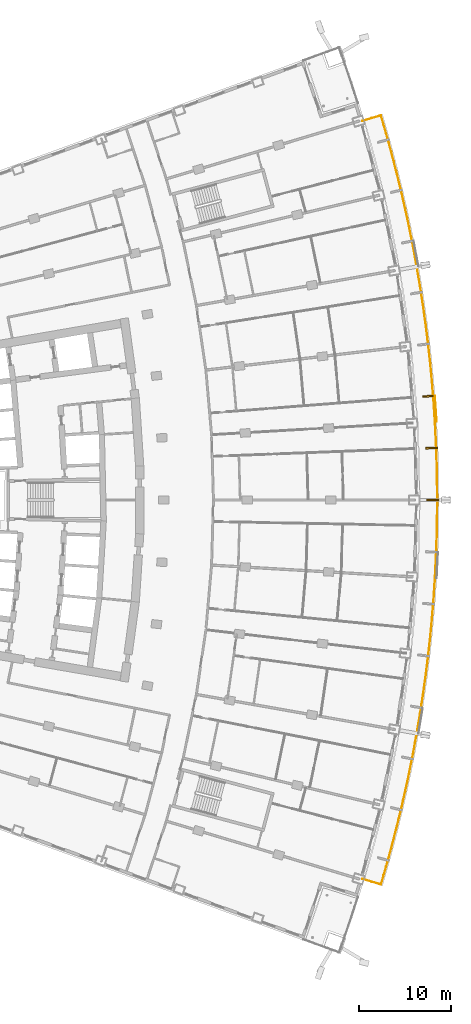
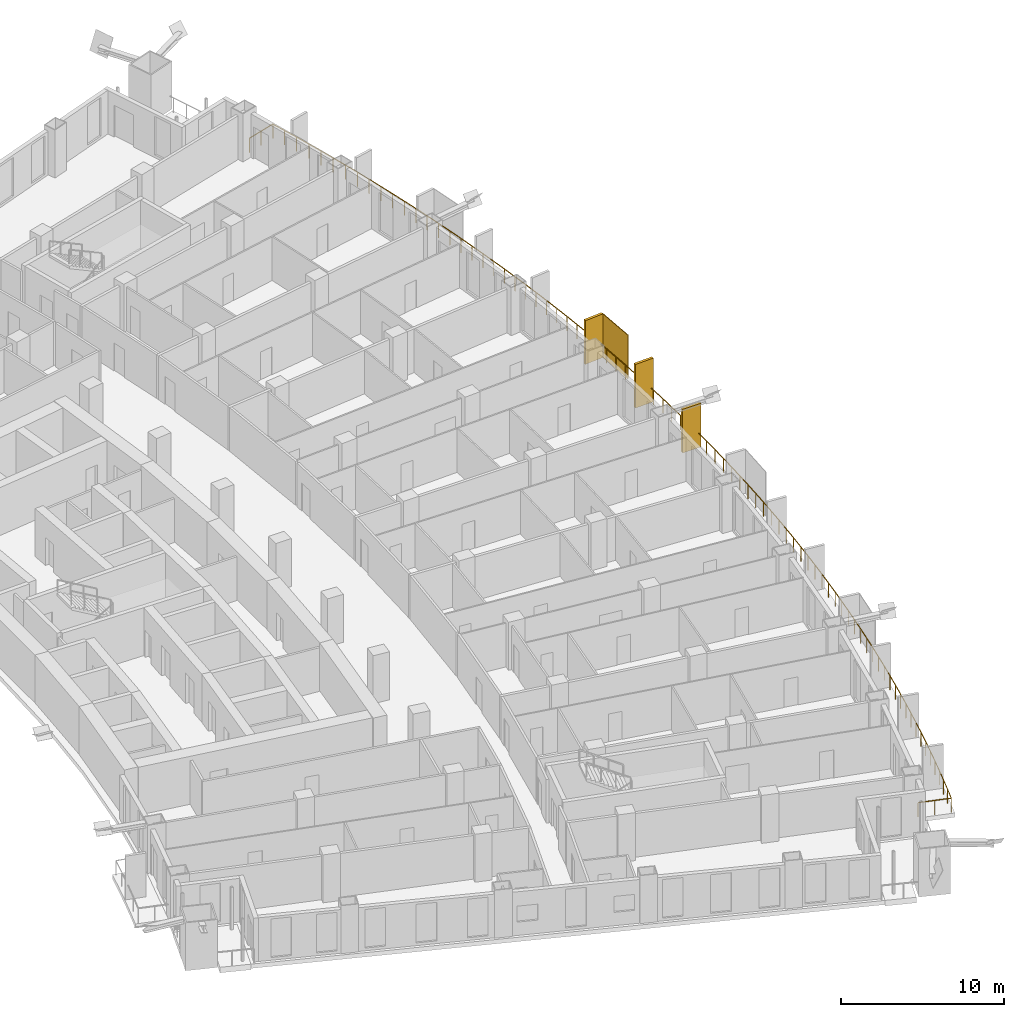
# One storey, part 21 of 22: 4 shading devices, 1 railing.
"""IFC4 building model written with IfcOpenShell, lengths in metres."""

from ifc_helpers import new_model, si_unit, direction, frame, origin, origin_2d, place, context, subcontext, project, spatial, rectangle, extrude, material, layer, layer_set, type_object, element, save


model = new_model("IFC4")

# Units and contexts
model_context = context("Model", 3, precision=1e-05, world=origin(), true_north=direction((0.0, 1.0)))
body_context = subcontext(model_context, "Body", "Model", "MODEL_VIEW")
ifc_project = project(units=[si_unit("LENGTHUNIT", "METRE"), si_unit("AREAUNIT", "SQUARE_METRE"), si_unit("VOLUMEUNIT", "CUBIC_METRE"), si_unit("PLANEANGLEUNIT", "RADIAN"), si_unit("MASSUNIT", "GRAM", prefix="KILO")], contexts=[model_context])

# Site, building, storey
site_placement = place(None, origin())
site = spatial("IfcSite", under=ifc_project, at=site_placement, CompositionType="ELEMENT")
building_placement = place(site_placement, origin())
building = spatial("IfcBuilding", under=site, at=building_placement, Name="Alderwake Tower", CompositionType="ELEMENT")
storey_placement = place(building_placement, frame((0.0, 0.0, 50.0)))
storey = spatial("IfcBuildingStorey", under=building, at=storey_placement, Name="L11", CompositionType="ELEMENT", Elevation=50.0)

# Railing
ifc_material_1 = material(Name="Stainless steel 316 rail and posts", Category="steel")
railing_type = type_object("IfcRailingType", Name="Balcony guard 1100", PredefinedType="GUARDRAIL", material=ifc_material_1)
railing_placement = place(storey_placement, frame((57.371826171875, 19.85986328125, 0.0)))
element("IfcRailing", 1, at=railing_placement, inside=storey, type_object=railing_type, Name="Guard BF02", PredefinedType="GUARDRAIL", context=body_context, shape_type="SweptSolid", body=[
    extrude(rectangle(XDim=0.048095703125, YDim=0.048095703125, at=origin_2d()), frame((0.0, 0.0, 1.076171875), z_axis=(0.957963748181, -0.286889276849, 0.0), x_axis=(0.286889276849, 0.957963748181, 0.0)), (0.0, 0.0, 1.0), 2.100341796875),
    extrude(rectangle(XDim=0.048095703125, YDim=0.048095703125, at=origin_2d()), frame((2.011962890625, -0.6025390625, 1.076171875), z_axis=(0.280139100614, 0.959959418052, 0.0), x_axis=(-0.959959418052, 0.280139100614, 0.0)), (0.0, 0.0, 1.0), 2.02197265625),
    extrude(rectangle(XDim=0.048095703125, YDim=0.048095703125, at=origin_2d()), frame((2.578369140625, 1.33837890625, 1.076171875), z_axis=(0.26658150654, 0.9638123782, 0.0), x_axis=(-0.9638123782, 0.26658150654, 0.0)), (0.0, 0.0, 1.0), 2.1220703125),
    extrude(rectangle(XDim=0.048095703125, YDim=0.048095703125, at=origin_2d()), frame((3.14404296875, 3.383544921875, 1.076171875), z_axis=(0.252459370457, 0.967607495976, 0.0), x_axis=(-0.967607495976, 0.252459370457, 0.0)), (0.0, 0.0, 1.0), 2.121826171875),
    extrude(rectangle(XDim=0.048095703125, YDim=0.048095703125, at=origin_2d()), frame((3.6796875, 5.4365234375, 1.076171875), z_axis=(0.238282958, 0.971195774253, 0.0), x_axis=(-0.971195774253, 0.238282958, 0.0)), (0.0, 0.0, 1.0), 2.121826171875),
    extrude(rectangle(XDim=0.048095703125, YDim=0.048095703125, at=origin_2d()), frame((4.185302734375, 7.497314453125, 1.076171875), z_axis=(0.224136765, 0.974557699972, 0.0), x_axis=(-0.974557699972, 0.224136765, 0.0)), (0.0, 0.0, 1.0), 2.121826171875),
    extrude(rectangle(XDim=0.048095703125, YDim=0.048095703125, at=origin_2d()), frame((4.660888671875, 9.565185546875, 1.076171875), z_axis=(0.209859086272, 0.977731642072, 0.0), x_axis=(-0.977731642072, 0.209859086272, 0.0)), (0.0, 0.0, 1.0), 2.1220703125),
    extrude(rectangle(XDim=0.048095703125, YDim=0.048095703125, at=origin_2d()), frame((5.106201171875, 11.639892578125, 1.076171875), z_axis=(0.195607176026, 0.980682330159, 0.0), x_axis=(-0.980682330159, 0.195607176026, 0.0)), (0.0, 0.0, 1.0), 2.121826171875),
    extrude(rectangle(XDim=0.048095703125, YDim=0.048095703125, at=origin_2d()), frame((5.521240234375, 13.720703125, 1.076171875), z_axis=(0.181223929541, 0.983441857642, 0.0), x_axis=(-0.983441857642, 0.181223929541, 0.0)), (0.0, 0.0, 1.0), 2.121826171875),
    extrude(rectangle(XDim=0.048095703125, YDim=0.048095703125, at=origin_2d()), frame((5.90576171875, 15.807373046875, 1.076171875), z_axis=(0.166935734745, 0.985967778614, 0.0), x_axis=(-0.985967778614, 0.166935734745, 0.0)), (0.0, 0.0, 1.0), 2.1220703125),
    extrude(rectangle(XDim=0.048095703125, YDim=0.048095703125, at=origin_2d()), frame((6.260009765625, 17.899658203125, 1.076171875), z_axis=(0.152575952674, 0.988291747747, 0.0), x_axis=(-0.988291747747, 0.152575952674, 0.0)), (0.0, 0.0, 1.0), 2.121826171875),
    extrude(rectangle(XDim=0.048095703125, YDim=0.048095703125, at=origin_2d()), frame((6.583740234375, 19.99658203125, 1.076171875), z_axis=(0.138070046454, 0.990422466563, 0.0), x_axis=(-0.990422466563, 0.138070046454, 0.0)), (0.0, 0.0, 1.0), 2.121826171875),
    extrude(rectangle(XDim=0.048095703125, YDim=0.048095703125, at=origin_2d()), frame((6.876708984375, 22.09814453125, 1.076171875), z_axis=(0.123694843093, 0.992320304031, 0.0), x_axis=(-0.992320304031, 0.123694843093, 0.0)), (0.0, 0.0, 1.0), 2.121826171875),
    extrude(rectangle(XDim=0.048095703125, YDim=0.048095703125, at=origin_2d()), frame((7.13916015625, 24.20361328125, 1.076171875), z_axis=(0.109080130326, 0.9940329598, 0.0), x_axis=(-0.9940329598, 0.109080130326, 0.0)), (0.0, 0.0, 1.0), 2.121826171875),
    extrude(rectangle(XDim=0.048095703125, YDim=0.048095703125, at=origin_2d()), frame((7.37060546875, 26.312744140625, 1.076171875), z_axis=(0.094695065428, 0.995506325738, 0.0), x_axis=(-0.995506325738, 0.094695065428, 0.0)), (0.0, 0.0, 1.0), 2.121826171875),
    extrude(rectangle(XDim=0.048095703125, YDim=0.048095703125, at=origin_2d()), frame((7.571533203125, 28.425048828125, 1.076171875), z_axis=(0.080083637385, 0.996788147513, 0.0), x_axis=(-0.996788147513, 0.080083637385, 0.0)), (0.0, 0.0, 1.0), 2.121826171875),
    extrude(rectangle(XDim=0.048095703125, YDim=0.048095703125, at=origin_2d()), frame((7.741455078125, 30.5400390625, 1.076171875), z_axis=(0.065579727847, 0.997847332659, 0.0), x_axis=(-0.997847332659, 0.065579727847, 0.0)), (0.0, 0.0, 1.0), 2.1220703125),
    extrude(rectangle(XDim=0.048095703125, YDim=0.048095703125, at=origin_2d()), frame((7.880615234375, 32.657470703125, 1.076171875), z_axis=(0.051085284185, 0.998694294436, 0.0), x_axis=(-0.998694294436, 0.051085284185, 0.0)), (0.0, 0.0, 1.0), 2.121826171875),
    extrude(rectangle(XDim=0.048095703125, YDim=0.048095703125, at=origin_2d()), frame((7.989013671875, 34.776611328125, 1.076171875), z_axis=(0.036360511364, 0.999338737973, 0.0), x_axis=(-0.999338737973, 0.036360511364, 0.0)), (0.0, 0.0, 1.0), 2.121826171875),
    extrude(rectangle(XDim=0.048095703125, YDim=0.048095703125, at=origin_2d()), frame((8.066162109375, 36.89697265625, 1.076171875), z_axis=(0.021976507204, 0.999758487401, 0.0), x_axis=(-0.999758487401, 0.021976507204, 0.0)), (0.0, 0.0, 1.0), 2.121826171875),
    extrude(rectangle(XDim=0.048095703125, YDim=0.048095703125, at=origin_2d()), frame((8.11279296875, 39.018310546875, 1.076171875), z_axis=(0.007248687707, 0.999973727918, 0.0), x_axis=(-0.999973727918, 0.007248687707, 0.0)), (0.0, 0.0, 1.0), 2.121826171875),
    extrude(rectangle(XDim=0.048095703125, YDim=0.048095703125, at=origin_2d()), frame((8.128173828125, 41.14013671875, 1.076171875), z_axis=(-0.007248687707, 0.999973727918, 0.0), x_axis=(-0.999973727918, -0.007248687707, 0.0)), (0.0, 0.0, 1.0), 2.121826171875),
    extrude(rectangle(XDim=0.048095703125, YDim=0.048095703125, at=origin_2d()), frame((8.11279296875, 43.261962890625, 1.076171875), z_axis=(-0.021976507204, 0.999758487401, 0.0), x_axis=(-0.999758487401, -0.021976507204, 0.0)), (0.0, 0.0, 1.0), 2.121826171875),
    extrude(rectangle(XDim=0.048095703125, YDim=0.048095703125, at=origin_2d()), frame((8.066162109375, 45.38330078125, 1.076171875), z_axis=(-0.036360511364, 0.999338737973, 0.0), x_axis=(-0.999338737973, -0.036360511364, 0.0)), (0.0, 0.0, 1.0), 2.121826171875),
    extrude(rectangle(XDim=0.048095703125, YDim=0.048095703125, at=origin_2d()), frame((7.989013671875, 47.503662109375, 1.076171875), z_axis=(-0.051085284185, 0.998694294436, 0.0), x_axis=(-0.998694294436, -0.051085284185, 0.0)), (0.0, 0.0, 1.0), 2.121826171875),
    extrude(rectangle(XDim=0.048095703125, YDim=0.048095703125, at=origin_2d()), frame((7.880615234375, 49.622802734375, 1.076171875), z_axis=(-0.065579727847, 0.997847332659, 0.0), x_axis=(-0.997847332659, -0.065579727847, 0.0)), (0.0, 0.0, 1.0), 2.1220703125),
    extrude(rectangle(XDim=0.048095703125, YDim=0.048095703125, at=origin_2d()), frame((7.741455078125, 51.740234375, 1.076171875), z_axis=(-0.080083637385, 0.996788147513, 0.0), x_axis=(-0.996788147513, -0.080083637385, 0.0)), (0.0, 0.0, 1.0), 2.121826171875),
    extrude(rectangle(XDim=0.048095703125, YDim=0.048095703125, at=origin_2d()), frame((7.571533203125, 53.855224609375, 1.076171875), z_axis=(-0.094695065428, 0.995506325738, 0.0), x_axis=(-0.995506325738, -0.094695065428, 0.0)), (0.0, 0.0, 1.0), 2.121826171875),
    extrude(rectangle(XDim=0.048095703125, YDim=0.048095703125, at=origin_2d()), frame((7.37060546875, 55.967529296875, 1.076171875), z_axis=(-0.109080130326, 0.9940329598, 0.0), x_axis=(-0.9940329598, -0.109080130326, 0.0)), (0.0, 0.0, 1.0), 2.121826171875),
    extrude(rectangle(XDim=0.048095703125, YDim=0.048095703125, at=origin_2d()), frame((7.13916015625, 58.07666015625, 1.076171875), z_axis=(-0.123694843093, 0.992320304031, 0.0), x_axis=(-0.992320304031, -0.123694843093, 0.0)), (0.0, 0.0, 1.0), 2.121826171875),
    extrude(rectangle(XDim=0.048095703125, YDim=0.048095703125, at=origin_2d()), frame((6.876708984375, 60.18212890625, 1.076171875), z_axis=(-0.138070046454, 0.990422466563, 0.0), x_axis=(-0.990422466563, -0.138070046454, 0.0)), (0.0, 0.0, 1.0), 2.121826171875),
    extrude(rectangle(XDim=0.048095703125, YDim=0.048095703125, at=origin_2d()), frame((6.583740234375, 62.28369140625, 1.076171875), z_axis=(-0.152575952674, 0.988291747747, 0.0), x_axis=(-0.988291747747, -0.152575952674, 0.0)), (0.0, 0.0, 1.0), 2.121826171875),
    extrude(rectangle(XDim=0.048095703125, YDim=0.048095703125, at=origin_2d()), frame((6.260009765625, 64.380615234375, 1.076171875), z_axis=(-0.166935734745, 0.985967778614, 0.0), x_axis=(-0.985967778614, -0.166935734745, 0.0)), (0.0, 0.0, 1.0), 2.1220703125),
    extrude(rectangle(XDim=0.048095703125, YDim=0.048095703125, at=origin_2d()), frame((5.90576171875, 66.472900390625, 1.076171875), z_axis=(-0.181223929541, 0.983441857642, 0.0), x_axis=(-0.983441857642, -0.181223929541, 0.0)), (0.0, 0.0, 1.0), 2.121826171875),
    extrude(rectangle(XDim=0.048095703125, YDim=0.048095703125, at=origin_2d()), frame((5.521240234375, 68.5595703125, 1.076171875), z_axis=(-0.195607176026, 0.980682330159, 0.0), x_axis=(-0.980682330159, -0.195607176026, 0.0)), (0.0, 0.0, 1.0), 2.121826171875),
    extrude(rectangle(XDim=0.048095703125, YDim=0.048095703125, at=origin_2d()), frame((5.106201171875, 70.640380859375, 1.076171875), z_axis=(-0.209859086272, 0.977731642072, 0.0), x_axis=(-0.977731642072, -0.209859086272, 0.0)), (0.0, 0.0, 1.0), 2.1220703125),
    extrude(rectangle(XDim=0.048095703125, YDim=0.048095703125, at=origin_2d()), frame((4.660888671875, 72.715087890625, 1.076171875), z_axis=(-0.224136765, 0.974557699972, 0.0), x_axis=(-0.974557699972, -0.224136765, 0.0)), (0.0, 0.0, 1.0), 2.121826171875),
    extrude(rectangle(XDim=0.048095703125, YDim=0.048095703125, at=origin_2d()), frame((4.185302734375, 74.782958984375, 1.076171875), z_axis=(-0.238282958, 0.971195774253, 0.0), x_axis=(-0.971195774253, -0.238282958, 0.0)), (0.0, 0.0, 1.0), 2.121826171875),
    extrude(rectangle(XDim=0.048095703125, YDim=0.048095703125, at=origin_2d()), frame((3.6796875, 76.84375, 1.076171875), z_axis=(-0.252459370457, 0.967607495976, 0.0), x_axis=(-0.967607495976, -0.252459370457, 0.0)), (0.0, 0.0, 1.0), 2.121826171875),
    extrude(rectangle(XDim=0.048095703125, YDim=0.048095703125, at=origin_2d()), frame((3.14404296875, 78.896728515625, 1.076171875), z_axis=(-0.26658150654, 0.9638123782, 0.0), x_axis=(-0.9638123782, -0.26658150654, 0.0)), (0.0, 0.0, 1.0), 2.1220703125),
    extrude(rectangle(XDim=0.048095703125, YDim=0.048095703125, at=origin_2d()), frame((2.578369140625, 80.94189453125, 1.076171875), z_axis=(-0.280139100614, 0.959959418052, 0.0), x_axis=(-0.959959418052, -0.280139100614, 0.0)), (0.0, 0.0, 1.0), 2.02197265625),
    extrude(rectangle(XDim=0.048095703125, YDim=0.048095703125, at=origin_2d()), frame((2.011962890625, 82.8828125, 1.076171875), z_axis=(-0.957963748181, -0.286889276849, 0.0), x_axis=(0.286889276849, -0.957963748181, 0.0)), (0.0, 0.0, 1.0), 2.100341796875),
    extrude(rectangle(XDim=0.0419921875, YDim=0.0419921875, at=origin_2d()), frame((0.0, 0.0, 0.0), z_axis=(0.0, 0.0, 1.0), x_axis=(0.957963748181, -0.286889276849, 0.0)), (0.0, 0.0, 1.0), 1.052001953125),
    extrude(rectangle(XDim=0.0419921875, YDim=0.0419921875, at=origin_2d()), frame((1.005859375, -0.30126953125, 0.0), z_axis=(0.0, 0.0, 1.0), x_axis=(0.957963748181, -0.286889276849, 0.0)), (0.0, 0.0, 1.0), 1.052001953125),
    extrude(rectangle(XDim=0.0419921875, YDim=0.0419921875, at=origin_2d()), frame((2.011962890625, -0.6025390625, 0.0), z_axis=(0.0, 0.0, 1.0), x_axis=(0.280139100614, 0.959959418052, 0.0)), (0.0, 0.0, 1.0), 1.052001953125),
    extrude(rectangle(XDim=0.0419921875, YDim=0.0419921875, at=origin_2d()), frame((2.295166015625, 0.367919921875, 0.0), z_axis=(0.0, 0.0, 1.0), x_axis=(0.280139100614, 0.959959418052, 0.0)), (0.0, 0.0, 1.0), 1.052001953125),
    extrude(rectangle(XDim=0.0419921875, YDim=0.0419921875, at=origin_2d()), frame((2.578369140625, 1.33837890625, 0.0), z_axis=(0.0, 0.0, 1.0), x_axis=(0.26658150654, 0.9638123782, 0.0)), (0.0, 0.0, 1.0), 1.052001953125),
    extrude(rectangle(XDim=0.0419921875, YDim=0.0419921875, at=origin_2d()), frame((2.861328125, 2.36083984375, 0.0), z_axis=(0.0, 0.0, 1.0), x_axis=(0.26658150654, 0.9638123782, 0.0)), (0.0, 0.0, 1.0), 1.052001953125),
    extrude(rectangle(XDim=0.0419921875, YDim=0.0419921875, at=origin_2d()), frame((3.14404296875, 3.383544921875, 0.0), z_axis=(0.0, 0.0, 1.0), x_axis=(0.252459370457, 0.967607495976, 0.0)), (0.0, 0.0, 1.0), 1.052001953125),
    extrude(rectangle(XDim=0.0419921875, YDim=0.0419921875, at=origin_2d()), frame((3.411865234375, 4.41015625, 0.0), z_axis=(0.0, 0.0, 1.0), x_axis=(0.252459370457, 0.967607495976, 0.0)), (0.0, 0.0, 1.0), 1.052001953125),
    extrude(rectangle(XDim=0.0419921875, YDim=0.0419921875, at=origin_2d()), frame((3.6796875, 5.4365234375, 0.0), z_axis=(0.0, 0.0, 1.0), x_axis=(0.238282958, 0.971195774253, 0.0)), (0.0, 0.0, 1.0), 1.052001953125),
    extrude(rectangle(XDim=0.0419921875, YDim=0.0419921875, at=origin_2d()), frame((3.9326171875, 6.466796875, 0.0), z_axis=(0.0, 0.0, 1.0), x_axis=(0.238282958, 0.971195774253, 0.0)), (0.0, 0.0, 1.0), 1.052001953125),
    extrude(rectangle(XDim=0.0419921875, YDim=0.0419921875, at=origin_2d()), frame((4.185302734375, 7.497314453125, 0.0), z_axis=(0.0, 0.0, 1.0), x_axis=(0.224136765, 0.974557699972, 0.0)), (0.0, 0.0, 1.0), 1.052001953125),
    extrude(rectangle(XDim=0.0419921875, YDim=0.0419921875, at=origin_2d()), frame((4.423095703125, 8.53125, 0.0), z_axis=(0.0, 0.0, 1.0), x_axis=(0.224136765, 0.974557699972, 0.0)), (0.0, 0.0, 1.0), 1.052001953125),
    extrude(rectangle(XDim=0.0419921875, YDim=0.0419921875, at=origin_2d()), frame((4.660888671875, 9.565185546875, 0.0), z_axis=(0.0, 0.0, 1.0), x_axis=(0.209859086272, 0.977731642072, 0.0)), (0.0, 0.0, 1.0), 1.052001953125),
    extrude(rectangle(XDim=0.0419921875, YDim=0.0419921875, at=origin_2d()), frame((4.883544921875, 10.6025390625, 0.0), z_axis=(0.0, 0.0, 1.0), x_axis=(0.209859086272, 0.977731642072, 0.0)), (0.0, 0.0, 1.0), 1.052001953125),
    extrude(rectangle(XDim=0.0419921875, YDim=0.0419921875, at=origin_2d()), frame((5.106201171875, 11.639892578125, 0.0), z_axis=(0.0, 0.0, 1.0), x_axis=(0.195607176026, 0.980682330159, 0.0)), (0.0, 0.0, 1.0), 1.052001953125),
    extrude(rectangle(XDim=0.0419921875, YDim=0.0419921875, at=origin_2d()), frame((5.313720703125, 12.68017578125, 0.0), z_axis=(0.0, 0.0, 1.0), x_axis=(0.195607176026, 0.980682330159, 0.0)), (0.0, 0.0, 1.0), 1.052001953125),
    extrude(rectangle(XDim=0.0419921875, YDim=0.0419921875, at=origin_2d()), frame((5.521240234375, 13.720703125, 0.0), z_axis=(0.0, 0.0, 1.0), x_axis=(0.181223929541, 0.983441857642, 0.0)), (0.0, 0.0, 1.0), 1.052001953125),
    extrude(rectangle(XDim=0.0419921875, YDim=0.0419921875, at=origin_2d()), frame((5.71337890625, 14.76416015625, 0.0), z_axis=(0.0, 0.0, 1.0), x_axis=(0.181223929541, 0.983441857642, 0.0)), (0.0, 0.0, 1.0), 1.052001953125),
    extrude(rectangle(XDim=0.0419921875, YDim=0.0419921875, at=origin_2d()), frame((5.90576171875, 15.807373046875, 0.0), z_axis=(0.0, 0.0, 1.0), x_axis=(0.166935734745, 0.985967778614, 0.0)), (0.0, 0.0, 1.0), 1.052001953125),
    extrude(rectangle(XDim=0.0419921875, YDim=0.0419921875, at=origin_2d()), frame((6.0830078125, 16.853515625, 0.0), z_axis=(0.0, 0.0, 1.0), x_axis=(0.166935734745, 0.985967778614, 0.0)), (0.0, 0.0, 1.0), 1.052001953125),
    extrude(rectangle(XDim=0.0419921875, YDim=0.0419921875, at=origin_2d()), frame((6.260009765625, 17.899658203125, 0.0), z_axis=(0.0, 0.0, 1.0), x_axis=(0.152575952674, 0.988291747747, 0.0)), (0.0, 0.0, 1.0), 1.052001953125),
    extrude(rectangle(XDim=0.0419921875, YDim=0.0419921875, at=origin_2d()), frame((6.421875, 18.9482421875, 0.0), z_axis=(0.0, 0.0, 1.0), x_axis=(0.152575952674, 0.988291747747, 0.0)), (0.0, 0.0, 1.0), 1.052001953125),
    extrude(rectangle(XDim=0.0419921875, YDim=0.0419921875, at=origin_2d()), frame((6.583740234375, 19.99658203125, 0.0), z_axis=(0.0, 0.0, 1.0), x_axis=(0.138070046454, 0.990422466563, 0.0)), (0.0, 0.0, 1.0), 1.052001953125),
    extrude(rectangle(XDim=0.0419921875, YDim=0.0419921875, at=origin_2d()), frame((6.730224609375, 21.04736328125, 0.0), z_axis=(0.0, 0.0, 1.0), x_axis=(0.138070046454, 0.990422466563, 0.0)), (0.0, 0.0, 1.0), 1.052001953125),
    extrude(rectangle(XDim=0.0419921875, YDim=0.0419921875, at=origin_2d()), frame((6.876708984375, 22.09814453125, 0.0), z_axis=(0.0, 0.0, 1.0), x_axis=(0.123694843093, 0.992320304031, 0.0)), (0.0, 0.0, 1.0), 1.052001953125),
    extrude(rectangle(XDim=0.0419921875, YDim=0.0419921875, at=origin_2d()), frame((7.0078125, 23.15087890625, 0.0), z_axis=(0.0, 0.0, 1.0), x_axis=(0.123694843093, 0.992320304031, 0.0)), (0.0, 0.0, 1.0), 1.052001953125),
    extrude(rectangle(XDim=0.0419921875, YDim=0.0419921875, at=origin_2d()), frame((7.13916015625, 24.20361328125, 0.0), z_axis=(0.0, 0.0, 1.0), x_axis=(0.109080130326, 0.9940329598, 0.0)), (0.0, 0.0, 1.0), 1.052001953125),
    extrude(rectangle(XDim=0.0419921875, YDim=0.0419921875, at=origin_2d()), frame((7.2548828125, 25.25830078125, 0.0), z_axis=(0.0, 0.0, 1.0), x_axis=(0.109080130326, 0.9940329598, 0.0)), (0.0, 0.0, 1.0), 1.052001953125),
    extrude(rectangle(XDim=0.0419921875, YDim=0.0419921875, at=origin_2d()), frame((7.37060546875, 26.312744140625, 0.0), z_axis=(0.0, 0.0, 1.0), x_axis=(0.094695065428, 0.995506325738, 0.0)), (0.0, 0.0, 1.0), 1.052001953125),
    extrude(rectangle(XDim=0.0419921875, YDim=0.0419921875, at=origin_2d()), frame((7.47119140625, 27.368896484375, 0.0), z_axis=(0.0, 0.0, 1.0), x_axis=(0.094695065428, 0.995506325738, 0.0)), (0.0, 0.0, 1.0), 1.052001953125),
    extrude(rectangle(XDim=0.0419921875, YDim=0.0419921875, at=origin_2d()), frame((7.571533203125, 28.425048828125, 0.0), z_axis=(0.0, 0.0, 1.0), x_axis=(0.080083637385, 0.996788147513, 0.0)), (0.0, 0.0, 1.0), 1.052001953125),
    extrude(rectangle(XDim=0.0419921875, YDim=0.0419921875, at=origin_2d()), frame((7.656494140625, 29.482421875, 0.0), z_axis=(0.0, 0.0, 1.0), x_axis=(0.080083637385, 0.996788147513, 0.0)), (0.0, 0.0, 1.0), 1.052001953125),
    extrude(rectangle(XDim=0.0419921875, YDim=0.0419921875, at=origin_2d()), frame((7.741455078125, 30.5400390625, 0.0), z_axis=(0.0, 0.0, 1.0), x_axis=(0.065579727847, 0.997847332659, 0.0)), (0.0, 0.0, 1.0), 1.052001953125),
    extrude(rectangle(XDim=0.0419921875, YDim=0.0419921875, at=origin_2d()), frame((7.81103515625, 31.5986328125, 0.0), z_axis=(0.0, 0.0, 1.0), x_axis=(0.065579727847, 0.997847332659, 0.0)), (0.0, 0.0, 1.0), 1.052001953125),
    extrude(rectangle(XDim=0.0419921875, YDim=0.0419921875, at=origin_2d()), frame((7.880615234375, 32.657470703125, 0.0), z_axis=(0.0, 0.0, 1.0), x_axis=(0.051085284185, 0.998694294436, 0.0)), (0.0, 0.0, 1.0), 1.052001953125),
    extrude(rectangle(XDim=0.0419921875, YDim=0.0419921875, at=origin_2d()), frame((7.934814453125, 33.717041015625, 0.0), z_axis=(0.0, 0.0, 1.0), x_axis=(0.051085284185, 0.998694294436, 0.0)), (0.0, 0.0, 1.0), 1.052001953125),
    extrude(rectangle(XDim=0.0419921875, YDim=0.0419921875, at=origin_2d()), frame((7.989013671875, 34.776611328125, 0.0), z_axis=(0.0, 0.0, 1.0), x_axis=(0.036360511364, 0.999338737973, 0.0)), (0.0, 0.0, 1.0), 1.052001953125),
    extrude(rectangle(XDim=0.0419921875, YDim=0.0419921875, at=origin_2d()), frame((8.027587890625, 35.8369140625, 0.0), z_axis=(0.0, 0.0, 1.0), x_axis=(0.036360511364, 0.999338737973, 0.0)), (0.0, 0.0, 1.0), 1.052001953125),
    extrude(rectangle(XDim=0.0419921875, YDim=0.0419921875, at=origin_2d()), frame((8.066162109375, 36.89697265625, 0.0), z_axis=(0.0, 0.0, 1.0), x_axis=(0.021976507204, 0.999758487401, 0.0)), (0.0, 0.0, 1.0), 1.052001953125),
    extrude(rectangle(XDim=0.0419921875, YDim=0.0419921875, at=origin_2d()), frame((8.08935546875, 37.95751953125, 0.0), z_axis=(0.0, 0.0, 1.0), x_axis=(0.021976507204, 0.999758487401, 0.0)), (0.0, 0.0, 1.0), 1.052001953125),
    extrude(rectangle(XDim=0.0419921875, YDim=0.0419921875, at=origin_2d()), frame((8.11279296875, 39.018310546875, 0.0), z_axis=(0.0, 0.0, 1.0), x_axis=(0.007248687707, 0.999973727918, 0.0)), (0.0, 0.0, 1.0), 1.052001953125),
    extrude(rectangle(XDim=0.0419921875, YDim=0.0419921875, at=origin_2d()), frame((8.12060546875, 40.0791015625, 0.0), z_axis=(0.0, 0.0, 1.0), x_axis=(0.007248687707, 0.999973727918, 0.0)), (0.0, 0.0, 1.0), 1.052001953125),
    extrude(rectangle(XDim=0.0419921875, YDim=0.0419921875, at=origin_2d()), frame((8.128173828125, 41.14013671875, 0.0), z_axis=(0.0, 0.0, 1.0), x_axis=(-0.007248687707, 0.999973727918, 0.0)), (0.0, 0.0, 1.0), 1.052001953125),
    extrude(rectangle(XDim=0.0419921875, YDim=0.0419921875, at=origin_2d()), frame((8.12060546875, 42.201171875, 0.0), z_axis=(0.0, 0.0, 1.0), x_axis=(-0.007248687707, 0.999973727918, 0.0)), (0.0, 0.0, 1.0), 1.052001953125),
    extrude(rectangle(XDim=0.0419921875, YDim=0.0419921875, at=origin_2d()), frame((8.11279296875, 43.261962890625, 0.0), z_axis=(0.0, 0.0, 1.0), x_axis=(-0.021976507204, 0.999758487401, 0.0)), (0.0, 0.0, 1.0), 1.052001953125),
    extrude(rectangle(XDim=0.0419921875, YDim=0.0419921875, at=origin_2d()), frame((8.08935546875, 44.32275390625, 0.0), z_axis=(0.0, 0.0, 1.0), x_axis=(-0.021976507204, 0.999758487401, 0.0)), (0.0, 0.0, 1.0), 1.052001953125),
    extrude(rectangle(XDim=0.0419921875, YDim=0.0419921875, at=origin_2d()), frame((8.066162109375, 45.38330078125, 0.0), z_axis=(0.0, 0.0, 1.0), x_axis=(-0.036360511364, 0.999338737973, 0.0)), (0.0, 0.0, 1.0), 1.052001953125),
    extrude(rectangle(XDim=0.0419921875, YDim=0.0419921875, at=origin_2d()), frame((8.027587890625, 46.443359375, 0.0), z_axis=(0.0, 0.0, 1.0), x_axis=(-0.036360511364, 0.999338737973, 0.0)), (0.0, 0.0, 1.0), 1.052001953125),
    extrude(rectangle(XDim=0.0419921875, YDim=0.0419921875, at=origin_2d()), frame((7.989013671875, 47.503662109375, 0.0), z_axis=(0.0, 0.0, 1.0), x_axis=(-0.051085284185, 0.998694294436, 0.0)), (0.0, 0.0, 1.0), 1.052001953125),
    extrude(rectangle(XDim=0.0419921875, YDim=0.0419921875, at=origin_2d()), frame((7.934814453125, 48.563232421875, 0.0), z_axis=(0.0, 0.0, 1.0), x_axis=(-0.051085284185, 0.998694294436, 0.0)), (0.0, 0.0, 1.0), 1.052001953125),
    extrude(rectangle(XDim=0.0419921875, YDim=0.0419921875, at=origin_2d()), frame((7.880615234375, 49.622802734375, 0.0), z_axis=(0.0, 0.0, 1.0), x_axis=(-0.065579727847, 0.997847332659, 0.0)), (0.0, 0.0, 1.0), 1.052001953125),
    extrude(rectangle(XDim=0.0419921875, YDim=0.0419921875, at=origin_2d()), frame((7.81103515625, 50.681640625, 0.0), z_axis=(0.0, 0.0, 1.0), x_axis=(-0.065579727847, 0.997847332659, 0.0)), (0.0, 0.0, 1.0), 1.052001953125),
    extrude(rectangle(XDim=0.0419921875, YDim=0.0419921875, at=origin_2d()), frame((7.741455078125, 51.740234375, 0.0), z_axis=(0.0, 0.0, 1.0), x_axis=(-0.080083637385, 0.996788147513, 0.0)), (0.0, 0.0, 1.0), 1.052001953125),
    extrude(rectangle(XDim=0.0419921875, YDim=0.0419921875, at=origin_2d()), frame((7.656494140625, 52.7978515625, 0.0), z_axis=(0.0, 0.0, 1.0), x_axis=(-0.080083637385, 0.996788147513, 0.0)), (0.0, 0.0, 1.0), 1.052001953125),
    extrude(rectangle(XDim=0.0419921875, YDim=0.0419921875, at=origin_2d()), frame((7.571533203125, 53.855224609375, 0.0), z_axis=(0.0, 0.0, 1.0), x_axis=(-0.094695065428, 0.995506325738, 0.0)), (0.0, 0.0, 1.0), 1.052001953125),
    extrude(rectangle(XDim=0.0419921875, YDim=0.0419921875, at=origin_2d()), frame((7.47119140625, 54.911376953125, 0.0), z_axis=(0.0, 0.0, 1.0), x_axis=(-0.094695065428, 0.995506325738, 0.0)), (0.0, 0.0, 1.0), 1.052001953125),
    extrude(rectangle(XDim=0.0419921875, YDim=0.0419921875, at=origin_2d()), frame((7.37060546875, 55.967529296875, 0.0), z_axis=(0.0, 0.0, 1.0), x_axis=(-0.109080130326, 0.9940329598, 0.0)), (0.0, 0.0, 1.0), 1.052001953125),
    extrude(rectangle(XDim=0.0419921875, YDim=0.0419921875, at=origin_2d()), frame((7.2548828125, 57.02197265625, 0.0), z_axis=(0.0, 0.0, 1.0), x_axis=(-0.109080130326, 0.9940329598, 0.0)), (0.0, 0.0, 1.0), 1.052001953125),
    extrude(rectangle(XDim=0.0419921875, YDim=0.0419921875, at=origin_2d()), frame((7.13916015625, 58.07666015625, 0.0), z_axis=(0.0, 0.0, 1.0), x_axis=(-0.123694843093, 0.992320304031, 0.0)), (0.0, 0.0, 1.0), 1.052001953125),
    extrude(rectangle(XDim=0.0419921875, YDim=0.0419921875, at=origin_2d()), frame((7.0078125, 59.12939453125, 0.0), z_axis=(0.0, 0.0, 1.0), x_axis=(-0.123694843093, 0.992320304031, 0.0)), (0.0, 0.0, 1.0), 1.052001953125),
    extrude(rectangle(XDim=0.0419921875, YDim=0.0419921875, at=origin_2d()), frame((6.876708984375, 60.18212890625, 0.0), z_axis=(0.0, 0.0, 1.0), x_axis=(-0.138070046454, 0.990422466563, 0.0)), (0.0, 0.0, 1.0), 1.052001953125),
    extrude(rectangle(XDim=0.0419921875, YDim=0.0419921875, at=origin_2d()), frame((6.730224609375, 61.23291015625, 0.0), z_axis=(0.0, 0.0, 1.0), x_axis=(-0.138070046454, 0.990422466563, 0.0)), (0.0, 0.0, 1.0), 1.052001953125),
    extrude(rectangle(XDim=0.0419921875, YDim=0.0419921875, at=origin_2d()), frame((6.583740234375, 62.28369140625, 0.0), z_axis=(0.0, 0.0, 1.0), x_axis=(-0.152575952674, 0.988291747747, 0.0)), (0.0, 0.0, 1.0), 1.052001953125),
    extrude(rectangle(XDim=0.0419921875, YDim=0.0419921875, at=origin_2d()), frame((6.421875, 63.33203125, 0.0), z_axis=(0.0, 0.0, 1.0), x_axis=(-0.152575952674, 0.988291747747, 0.0)), (0.0, 0.0, 1.0), 1.052001953125),
    extrude(rectangle(XDim=0.0419921875, YDim=0.0419921875, at=origin_2d()), frame((6.260009765625, 64.380615234375, 0.0), z_axis=(0.0, 0.0, 1.0), x_axis=(-0.166935734745, 0.985967778614, 0.0)), (0.0, 0.0, 1.0), 1.052001953125),
    extrude(rectangle(XDim=0.0419921875, YDim=0.0419921875, at=origin_2d()), frame((6.0830078125, 65.4267578125, 0.0), z_axis=(0.0, 0.0, 1.0), x_axis=(-0.166935734745, 0.985967778614, 0.0)), (0.0, 0.0, 1.0), 1.052001953125),
    extrude(rectangle(XDim=0.0419921875, YDim=0.0419921875, at=origin_2d()), frame((5.90576171875, 66.472900390625, 0.0), z_axis=(0.0, 0.0, 1.0), x_axis=(-0.181223929541, 0.983441857642, 0.0)), (0.0, 0.0, 1.0), 1.052001953125),
    extrude(rectangle(XDim=0.0419921875, YDim=0.0419921875, at=origin_2d()), frame((5.71337890625, 67.51611328125, 0.0), z_axis=(0.0, 0.0, 1.0), x_axis=(-0.181223929541, 0.983441857642, 0.0)), (0.0, 0.0, 1.0), 1.052001953125),
    extrude(rectangle(XDim=0.0419921875, YDim=0.0419921875, at=origin_2d()), frame((5.521240234375, 68.5595703125, 0.0), z_axis=(0.0, 0.0, 1.0), x_axis=(-0.195607176026, 0.980682330159, 0.0)), (0.0, 0.0, 1.0), 1.052001953125),
    extrude(rectangle(XDim=0.0419921875, YDim=0.0419921875, at=origin_2d()), frame((5.313720703125, 69.60009765625, 0.0), z_axis=(0.0, 0.0, 1.0), x_axis=(-0.195607176026, 0.980682330159, 0.0)), (0.0, 0.0, 1.0), 1.052001953125),
    extrude(rectangle(XDim=0.0419921875, YDim=0.0419921875, at=origin_2d()), frame((5.106201171875, 70.640380859375, 0.0), z_axis=(0.0, 0.0, 1.0), x_axis=(-0.209859086272, 0.977731642072, 0.0)), (0.0, 0.0, 1.0), 1.052001953125),
    extrude(rectangle(XDim=0.0419921875, YDim=0.0419921875, at=origin_2d()), frame((4.883544921875, 71.677734375, 0.0), z_axis=(0.0, 0.0, 1.0), x_axis=(-0.209859086272, 0.977731642072, 0.0)), (0.0, 0.0, 1.0), 1.052001953125),
    extrude(rectangle(XDim=0.0419921875, YDim=0.0419921875, at=origin_2d()), frame((4.660888671875, 72.715087890625, 0.0), z_axis=(0.0, 0.0, 1.0), x_axis=(-0.224136765, 0.974557699972, 0.0)), (0.0, 0.0, 1.0), 1.052001953125),
    extrude(rectangle(XDim=0.0419921875, YDim=0.0419921875, at=origin_2d()), frame((4.423095703125, 73.7490234375, 0.0), z_axis=(0.0, 0.0, 1.0), x_axis=(-0.224136765, 0.974557699972, 0.0)), (0.0, 0.0, 1.0), 1.052001953125),
    extrude(rectangle(XDim=0.0419921875, YDim=0.0419921875, at=origin_2d()), frame((4.185302734375, 74.782958984375, 0.0), z_axis=(0.0, 0.0, 1.0), x_axis=(-0.238282958, 0.971195774253, 0.0)), (0.0, 0.0, 1.0), 1.052001953125),
    extrude(rectangle(XDim=0.0419921875, YDim=0.0419921875, at=origin_2d()), frame((3.9326171875, 75.8134765625, 0.0), z_axis=(0.0, 0.0, 1.0), x_axis=(-0.238282958, 0.971195774253, 0.0)), (0.0, 0.0, 1.0), 1.052001953125),
    extrude(rectangle(XDim=0.0419921875, YDim=0.0419921875, at=origin_2d()), frame((3.6796875, 76.84375, 0.0), z_axis=(0.0, 0.0, 1.0), x_axis=(-0.252459370457, 0.967607495976, 0.0)), (0.0, 0.0, 1.0), 1.052001953125),
    extrude(rectangle(XDim=0.0419921875, YDim=0.0419921875, at=origin_2d()), frame((3.411865234375, 77.8701171875, 0.0), z_axis=(0.0, 0.0, 1.0), x_axis=(-0.252459370457, 0.967607495976, 0.0)), (0.0, 0.0, 1.0), 1.052001953125),
    extrude(rectangle(XDim=0.0419921875, YDim=0.0419921875, at=origin_2d()), frame((3.14404296875, 78.896728515625, 0.0), z_axis=(0.0, 0.0, 1.0), x_axis=(-0.26658150654, 0.9638123782, 0.0)), (0.0, 0.0, 1.0), 1.052001953125),
    extrude(rectangle(XDim=0.0419921875, YDim=0.0419921875, at=origin_2d()), frame((2.861328125, 79.91943359375, 0.0), z_axis=(0.0, 0.0, 1.0), x_axis=(-0.26658150654, 0.9638123782, 0.0)), (0.0, 0.0, 1.0), 1.052001953125),
    extrude(rectangle(XDim=0.0419921875, YDim=0.0419921875, at=origin_2d()), frame((2.578369140625, 80.94189453125, 0.0), z_axis=(0.0, 0.0, 1.0), x_axis=(-0.280139100614, 0.959959418052, 0.0)), (0.0, 0.0, 1.0), 1.052001953125),
    extrude(rectangle(XDim=0.0419921875, YDim=0.0419921875, at=origin_2d()), frame((2.295166015625, 81.912353515625, 0.0), z_axis=(0.0, 0.0, 1.0), x_axis=(-0.280139100614, 0.959959418052, 0.0)), (0.0, 0.0, 1.0), 1.052001953125),
    extrude(rectangle(XDim=0.0419921875, YDim=0.0419921875, at=origin_2d()), frame((2.011962890625, 82.8828125, 0.0), z_axis=(0.0, 0.0, 1.0), x_axis=(-0.957963748181, -0.286889276849, 0.0)), (0.0, 0.0, 1.0), 1.052001953125),
    extrude(rectangle(XDim=0.0419921875, YDim=0.0419921875, at=origin_2d()), frame((1.005859375, 82.58154296875, 0.0), z_axis=(0.0, 0.0, 1.0), x_axis=(-0.957963748181, -0.286889276849, 0.0)), (0.0, 0.0, 1.0), 1.052001953125),
    extrude(rectangle(XDim=0.0419921875, YDim=0.0419921875, at=origin_2d()), frame((0.0, 82.2802734375, 0.0), z_axis=(0.0, 0.0, 1.0), x_axis=(-0.957963748181, -0.286889276849, 0.0)), (0.0, 0.0, 1.0), 1.052001953125),
])

# Shading devices
ifc_material_2 = material(Name="Bronze anodised aluminium", Category="aluminium")
ifc_layer_1 = layer(ifc_material_2, 0.179931640625)
ifc_layer_set_1 = layer_set([ifc_layer_1], Name="Facade fin 1300")
shading_device_type_1 = type_object("IfcShadingDeviceType", Name="Facade fin 1300", PredefinedType="USERDEFINED", material=ifc_layer_set_1)
for number, where, z_axis, x_axis, name in (
    (2, (65.0, 61.0, 0.0), (0.0, 0.0, 1.0), (1.0, 0.0, 0.0), "Fin"),
    (3, (64.890380859375, 66.63916015625, 0.0), (0.0, 0.0, 1.0), (0.999243494356, 0.038890088543, 0.0), "Fin"),
    (4, (64.561279296875, 72.26953125, 0.0), (0.0, 0.0, 1.0), (0.996975122026, 0.077721335943, 0.0), "Fin"),
):
    element("IfcShadingDevice", number, at=place(storey_placement, frame(where, z_axis=z_axis, x_axis=x_axis)), inside=storey, type_object=shading_device_type_1, Name=name, ObjectType="FIN", PredefinedType="USERDEFINED", context=body_context, shape_type="SweptSolid", body=[
        extrude(rectangle(XDim=1.300048828125, YDim=0.179931640625, at=origin_2d()), origin(), (0.0, 0.0, 1.0), 3.280029296875),
    ])
ifc_material_3 = material(Name="Perforated bronze anodised aluminium", Category="aluminium")
ifc_layer_2 = layer(ifc_material_3, 0.050048828125)
ifc_layer_set_2 = layer_set([ifc_layer_2], Name="Perforated screen panel")
shading_device_type_2 = type_object("IfcShadingDeviceType", Name="Perforated screen panel", PredefinedType="USERDEFINED", material=ifc_layer_set_2)
shading_device_placement = place(storey_placement, frame((65.330810546875, 70.905029296875, 0.0), z_axis=(0.0, 0.0, 1.0), x_axis=(0.997685465774, 0.067997877779, 0.0)))
element("IfcShadingDevice", 5, at=shading_device_placement, inside=storey, type_object=shading_device_type_2, Name="Screen panel", ObjectType="SCREEN", PredefinedType="USERDEFINED", context=body_context, shape_type="SweptSolid", body=[
    extrude(rectangle(XDim=0.050048828125, YDim=2.840576171875, at=origin_2d()), origin(), (0.0, 0.0, 1.0), 3.280029296875),
])

save(model, "model.ifc")
